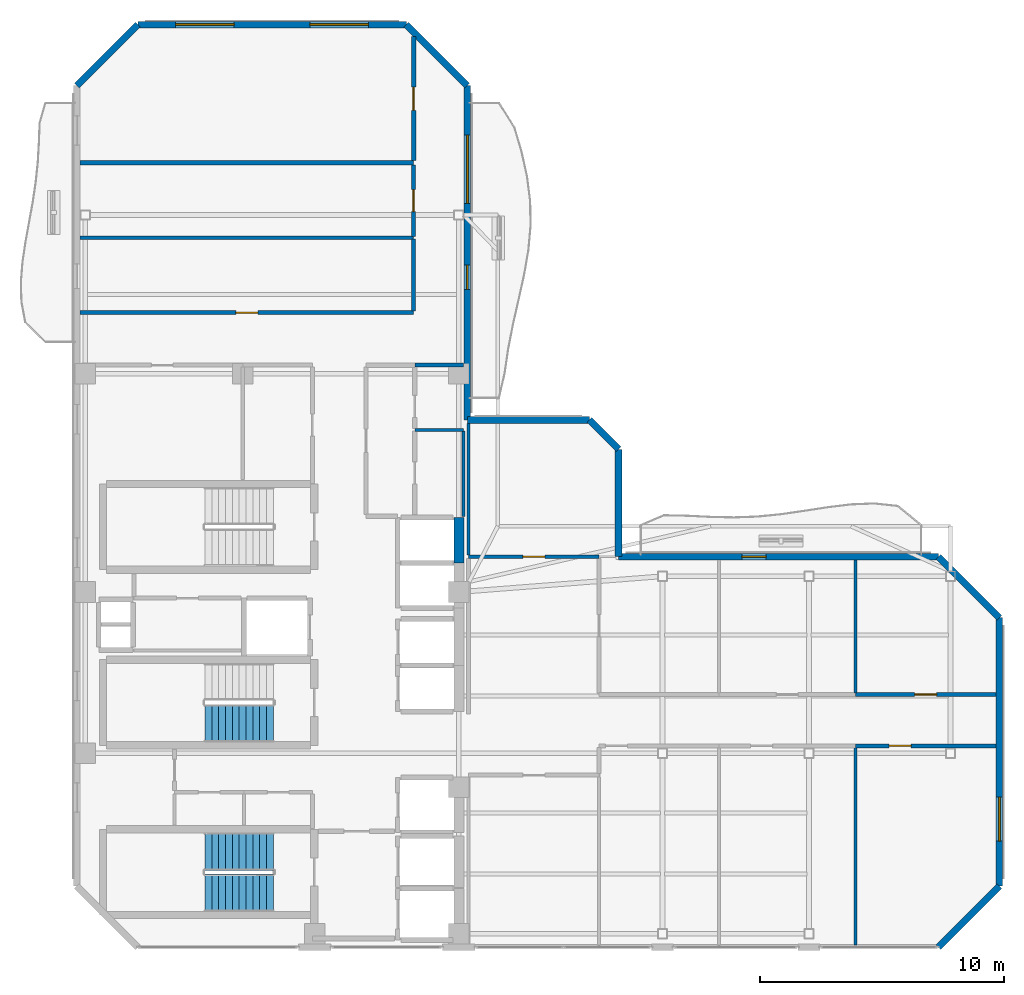
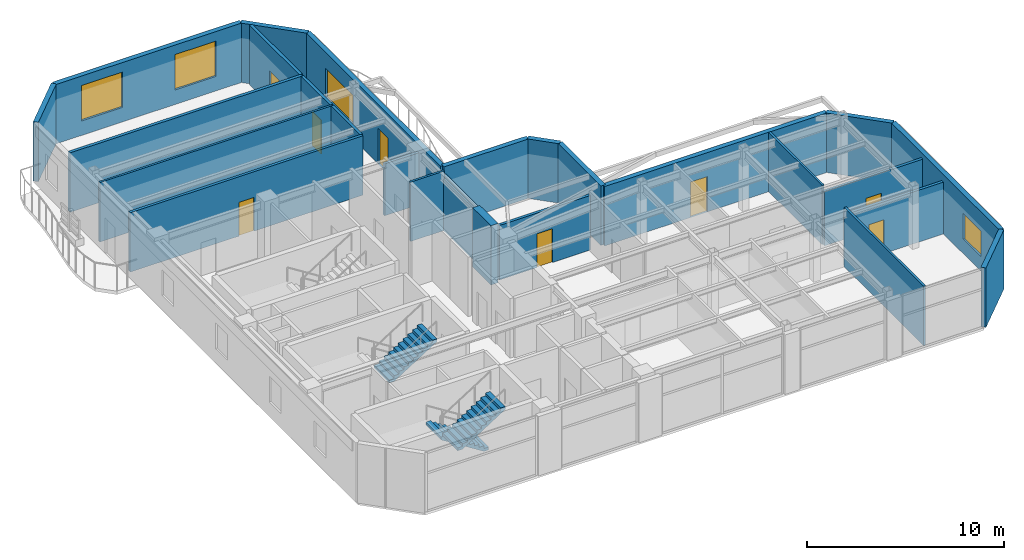
# One storey, part 11 of 15: 27 walls, 8 doors, 4 windows, 3 stair flights, 12 openings, 2 elements without a shape of their own.
"""IFC4 building model written with IfcOpenShell, lengths in metres."""

from ifc_helpers import new_model, si_unit, direction, frame, frame_2d, origin, place, context, subcontext, project, spatial, polyline, rectangle, outline, extrude, material, layer, layer_set, type_object, element, fill, aggregate, save


model = new_model("IFC4")

# Units and contexts
model_context = context("Model", 3, precision=1e-05, world=origin(), true_north=direction((0.0, 1.0)))
body_context = subcontext(model_context, "Body", "Model", "MODEL_VIEW")
ifc_project = project(units=[si_unit("LENGTHUNIT", "METRE"), si_unit("AREAUNIT", "SQUARE_METRE"), si_unit("VOLUMEUNIT", "CUBIC_METRE"), si_unit("PLANEANGLEUNIT", "RADIAN"), si_unit("MASSUNIT", "GRAM", prefix="KILO")], contexts=[model_context])

# Site, building, storey
site_placement = place(None, origin())
site = spatial("IfcSite", under=ifc_project, at=site_placement, CompositionType="ELEMENT")
building_placement = place(site_placement, origin())
building = spatial("IfcBuilding", under=site, at=building_placement, Name="Mawjaban Terraces University", CompositionType="ELEMENT")
storey_placement = place(building_placement, frame((0.0, 0.0, 295.0)))
storey = spatial("IfcBuildingStorey", under=building, at=storey_placement, Name="L72", CompositionType="ELEMENT", Elevation=295.0)

# Wall
ifc_material_1 = material(Name="Acoustic masonry blockwork", Category="masonry")
ifc_layer_1 = layer(ifc_material_1, 0.179931640625)
ifc_layer_set_1 = layer_set([ifc_layer_1], Name="Acoustic masonry blockwork")
wall_type_1 = type_object("IfcWallType", Name="AcousticStudioWall_180", PredefinedType="PARTITIONING", material=ifc_layer_set_1)
wall_1_placement = place(storey_placement, frame((35.800048828125, 32.139892578125, 0.0), z_axis=(0.0, 0.0, 1.0), x_axis=(-1.0, 0.0, 0.0)))
element("IfcWall", 1, at=wall_1_placement, inside=storey, type_object=wall_type_1, Name="L72 Quiet Reading Room 9 Partition 12", PredefinedType="PARTITIONING", context=body_context, shape_type="SweptSolid", body=[
    extrude(rectangle(XDim=13.6669921875, YDim=0.179931640625, at=frame_2d((6.83349609375, 0.0))), origin(), (0.0, 0.0, 1.0), 3.68994140625),
])

# Wall, opening, door
wall_2_placement = place(storey_placement, frame((35.800048828125, 37.31298828125, 0.0), z_axis=(0.0, 0.0, 1.0), x_axis=(0.0, -1.0, 0.0)))
wall_2 = element("IfcWall", 2, at=wall_2_placement, inside=storey, type_object=wall_type_1, Name="L72 Upper North Research Gallery Partition 34", PredefinedType="PARTITIONING", context=body_context, shape_type="SweptSolid", body=[
    extrude(rectangle(XDim=5.087890625, YDim=0.179931640625, at=frame_2d((2.5439453125, 0.0))), origin(), (0.0, 0.0, 1.0), 3.68994140625),
])
opening_1_placement = place(wall_2_placement, frame((2.069091796875, 0.0, 0.0)))
opening_1 = element("IfcOpeningElement", 3, at=opening_1_placement, cuts=wall_2, Name="Opening ID-095", PredefinedType="OPENING", context=body_context, shape_type="SweptSolid", body=[
    extrude(rectangle(XDim=0.949951171875, YDim=2.10009765625, at=frame_2d((0.47509765625, 1.050048828125))), frame((0.0, 0.099853515625, 0.0), z_axis=(0.0, -1.0, 0.0), x_axis=(1.0, 0.0, 0.0)), (0.0, 0.0, 1.0), 0.199951171875),
])
ifc_material_2 = material(Name="Powder-coated steel frame and solid acoustic timber leaf", Category="steel")
door_type_1 = type_object("IfcDoorType", Name="StudioDoor_950x2100", OperationType="NOTDEFINED", PredefinedType="DOOR", material=ifc_material_2)
door_1_placement = place(opening_1_placement, origin())
door_1 = element("IfcDoor", 4, at=door_1_placement, inside=storey, type_object=door_type_1, Name="L72 Media Workshop 10 Door", OperationType="SINGLE_SWING_RIGHT", OverallHeight=2.10009765625, OverallWidth=0.949951171875, PredefinedType="DOOR", context=body_context, shape_type="SweptSolid", body=[
    extrude(rectangle(XDim=0.949951171875, YDim=2.10009765625, at=frame_2d((0.47509765625, 1.050048828125))), frame((0.0, 0.02490234375, 0.0), z_axis=(0.0, -1.0, 0.0), x_axis=(1.0, 0.0, 0.0)), (0.0, 0.0, 1.0), 0.050048828125),
])
fill(opening_1, door_1)

# Wall
ifc_material_3 = material(Name="Concrete C50/60", Category="concrete")
ifc_layer_2 = layer(ifc_material_3, 0.419921875)
ifc_layer_set_2 = layer_set([ifc_layer_2], Name="Concrete C50/60")
wall_type_2 = type_object("IfcWallType", Name="CoreShearWall_420", PredefinedType="SHEAR", material=ifc_layer_set_2)
wall_3_placement = place(storey_placement, frame((37.659912109375, 15.75, 0.0), z_axis=(0.0, 0.0, 1.0), x_axis=(0.0, 1.0, 0.0)))
element("IfcWall", 5, at=wall_3_placement, inside=storey, type_object=wall_type_2, Name="L72 Lift OL-2 Hoistway Wall East", PredefinedType="SHEAR", context=body_context, shape_type="SweptSolid", body=[
    extrude(rectangle(XDim=1.85009765625, YDim=0.419921875, at=frame_2d((0.925048828125, 0.0))), origin(), (0.0, 0.0, 1.0), 3.68994140625),
])

# Wall, opening, door
ifc_material_4 = material(Name="Fire-rated gypsum board on steel stud", Category="steel")
ifc_layer_3 = layer(ifc_material_4, 0.159912109375)
ifc_layer_set_3 = layer_set([ifc_layer_3], Name="Fire-rated gypsum board on steel stud")
wall_type_3 = type_object("IfcWallType", Name="CorridorPartition_160", PredefinedType="PARTITIONING", material=ifc_layer_set_3)
wall_4_placement = place(storey_placement, frame((35.800048828125, 26.0, 0.0), z_axis=(0.0, 0.0, 1.0), x_axis=(-1.0, 0.0, 0.0)))
wall_4 = element("IfcWall", 6, at=wall_4_placement, inside=storey, type_object=wall_type_3, Name="L72 North Core Cross-Corridor Partition 10", PredefinedType="PARTITIONING", context=body_context, shape_type="SweptSolid", body=[
    extrude(rectangle(XDim=13.6669921875, YDim=0.159912109375, at=frame_2d((6.83349609375, 0.0))), origin(), (0.0, 0.0, 1.0), 3.68994140625),
])
opening_2_placement = place(wall_4_placement, frame((6.383056640625, 0.0, 0.0)))
opening_2 = element("IfcOpeningElement", 7, at=opening_2_placement, cuts=wall_4, Name="Opening ID-090", PredefinedType="OPENING", context=body_context, shape_type="SweptSolid", body=[
    extrude(rectangle(XDim=0.89990234375, YDim=2.10009765625, at=frame_2d((0.449951171875, 1.050048828125))), frame((0.0, 0.08984375, 0.0), z_axis=(0.0, -1.0, 0.0), x_axis=(1.0, 0.0, 0.0)), (0.0, 0.0, 1.0), 0.179931640625),
])
door_type_2 = type_object("IfcDoorType", Name="OfficeDoor_900x2100", OperationType="NOTDEFINED", PredefinedType="DOOR", material=ifc_material_2)
door_2_placement = place(opening_2_placement, origin())
door_2 = element("IfcDoor", 8, at=door_2_placement, inside=storey, type_object=door_type_2, Name="L72 Departmental Office 8 Door", OperationType="SINGLE_SWING_RIGHT", OverallHeight=2.10009765625, OverallWidth=0.89990234375, PredefinedType="DOOR", context=body_context, shape_type="SweptSolid", body=[
    extrude(rectangle(XDim=0.89990234375, YDim=2.10009765625, at=frame_2d((0.449951171875, 1.050048828125))), frame((0.0, 0.02490234375, 0.0), z_axis=(0.0, -1.0, 0.0), x_axis=(1.0, 0.0, 0.0)), (0.0, 0.0, 1.0), 0.050048828125),
])
fill(opening_2, door_2)

# Wall
wall_5_placement = place(storey_placement, frame((37.85009765625, 23.85009765625, 0.0), z_axis=(0.0, 0.0, 1.0), x_axis=(-1.0, 0.0, 0.0)))
element("IfcWall", 9, at=wall_5_placement, inside=storey, type_object=wall_type_3, Name="L72 Graduate Quiet Study Alcove Partition 15", PredefinedType="PARTITIONING", context=body_context, shape_type="SweptSolid", body=[
    extrude(rectangle(XDim=2.0, YDim=0.159912109375, at=frame_2d((1.0, 0.0))), origin(), (0.0, 0.0, 1.0), 3.220947265625),
])

# Wall, opening, door
wall_6_placement = place(storey_placement, frame((43.39990234375, 16.0, 0.0), z_axis=(0.0, 0.0, 1.0), x_axis=(-1.0, 0.0, 0.0)))
wall_6 = element("IfcWall", 10, at=wall_6_placement, inside=storey, type_object=wall_type_3, Name="L72 Upper Research Hub Concourse Partition 18", PredefinedType="PARTITIONING", context=body_context, shape_type="SweptSolid", body=[
    extrude(rectangle(XDim=5.349853515625, YDim=0.159912109375, at=frame_2d((2.6748046875, 0.0))), origin(), (0.0, 0.0, 1.0), 3.389892578125),
])
opening_3_placement = place(wall_6_placement, frame((2.22509765625, 0.0, 0.0)))
opening_3 = element("IfcOpeningElement", 11, at=opening_3_placement, cuts=wall_6, Name="Opening ID-090", PredefinedType="OPENING", context=body_context, shape_type="SweptSolid", body=[
    extrude(rectangle(XDim=0.89990234375, YDim=2.10009765625, at=frame_2d((0.449951171875, 1.050048828125))), frame((0.0, 0.08984375, 0.0), z_axis=(0.0, -1.0, 0.0), x_axis=(1.0, 0.0, 0.0)), (0.0, 0.0, 1.0), 0.179931640625),
])
door_3_placement = place(opening_3_placement, origin())
door_3 = element("IfcDoor", 12, at=door_3_placement, inside=storey, type_object=door_type_2, Name="L72 Terrace Collaborative Study Room Door", OperationType="SINGLE_SWING_LEFT", OverallHeight=2.10009765625, OverallWidth=0.89990234375, PredefinedType="DOOR", context=body_context, shape_type="SweptSolid", body=[
    extrude(rectangle(XDim=0.89990234375, YDim=2.10009765625, at=frame_2d((0.449951171875, 1.050048828125))), frame((0.0, 0.02490234375, 0.0), z_axis=(0.0, -1.0, 0.0), x_axis=(1.0, 0.0, 0.0)), (0.0, 0.0, 1.0), 0.050048828125),
])
fill(opening_3, door_3)

wall_7_placement = place(storey_placement, frame((53.89990234375, 8.25, 0.0), z_axis=(0.0, 0.0, 1.0), x_axis=(1.0, 0.0, 0.0)))
wall_7 = element("IfcWall", 13, at=wall_7_placement, inside=storey, type_object=wall_type_3, Name="L72 Upper East Research Corridor Partition 21", PredefinedType="PARTITIONING", context=body_context, shape_type="SweptSolid", body=[
    extrude(rectangle(XDim=5.76708984375, YDim=0.159912109375, at=frame_2d((2.883544921875, 0.0))), origin(), (0.0, 0.0, 1.0), 3.220947265625),
])
opening_4_placement = place(wall_7_placement, frame((1.384033203125, 0.0, 0.0)))
opening_4 = element("IfcOpeningElement", 14, at=opening_4_placement, cuts=wall_7, Name="Opening ID-090", PredefinedType="OPENING", context=body_context, shape_type="SweptSolid", body=[
    extrude(rectangle(XDim=0.89990234375, YDim=2.10009765625, at=frame_2d((0.449951171875, 1.050048828125))), frame((0.0, 0.08984375, 0.0), z_axis=(0.0, -1.0, 0.0), x_axis=(1.0, 0.0, 0.0)), (0.0, 0.0, 1.0), 0.179931640625),
])
door_4_placement = place(opening_4_placement, origin())
door_4 = element("IfcDoor", 15, at=door_4_placement, inside=storey, type_object=door_type_2, Name="L72 Departmental Office 6 Door", OperationType="SINGLE_SWING_RIGHT", OverallHeight=2.10009765625, OverallWidth=0.89990234375, PredefinedType="DOOR", context=body_context, shape_type="SweptSolid", body=[
    extrude(rectangle(XDim=0.89990234375, YDim=2.10009765625, at=frame_2d((0.449951171875, 1.050048828125))), frame((0.0, 0.02490234375, 0.0), z_axis=(0.0, -1.0, 0.0), x_axis=(1.0, 0.0, 0.0)), (0.0, 0.0, 1.0), 0.050048828125),
])
fill(opening_4, door_4)

wall_8_placement = place(storey_placement, frame((59.6669921875, 10.35009765625, 0.0), z_axis=(0.0, 0.0, 1.0), x_axis=(-1.0, 0.0, 0.0)))
wall_8 = element("IfcWall", 16, at=wall_8_placement, inside=storey, type_object=wall_type_3, Name="L72 Upper East Research Corridor Partition 23", PredefinedType="PARTITIONING", context=body_context, shape_type="SweptSolid", body=[
    extrude(rectangle(XDim=5.76708984375, YDim=0.159912109375, at=frame_2d((2.883544921875, 0.0))), origin(), (0.0, 0.0, 1.0), 3.3720703125),
])
opening_5_placement = place(wall_8_placement, frame((2.43408203125, 0.0, 0.0)))
opening_5 = element("IfcOpeningElement", 17, at=opening_5_placement, cuts=wall_8, Name="Opening ID-090", PredefinedType="OPENING", context=body_context, shape_type="SweptSolid", body=[
    extrude(rectangle(XDim=0.89990234375, YDim=2.10009765625, at=frame_2d((0.449951171875, 1.050048828125))), frame((0.0, 0.08984375, 0.0), z_axis=(0.0, -1.0, 0.0), x_axis=(1.0, 0.0, 0.0)), (0.0, 0.0, 1.0), 0.179931640625),
])
door_5_placement = place(opening_5_placement, origin())
door_5 = element("IfcDoor", 18, at=door_5_placement, inside=storey, type_object=door_type_2, Name="L72 Faculty Office 7 Door", OperationType="SINGLE_SWING_LEFT", OverallHeight=2.10009765625, OverallWidth=0.89990234375, PredefinedType="DOOR", context=body_context, shape_type="SweptSolid", body=[
    extrude(rectangle(XDim=0.89990234375, YDim=2.10009765625, at=frame_2d((0.449951171875, 1.050048828125))), frame((0.0, 0.02490234375, 0.0), z_axis=(0.0, -1.0, 0.0), x_axis=(1.0, 0.0, 0.0)), (0.0, 0.0, 1.0), 0.050048828125),
])
fill(opening_5, door_5)

# Wall
wall_9_placement = place(storey_placement, frame((35.800048828125, 29.011962890625, 0.0), z_axis=(0.0, 0.0, 1.0), x_axis=(0.0, -1.0, 0.0)))
element("IfcWall", 19, at=wall_9_placement, inside=storey, type_object=wall_type_3, Name="L72 Upper North Research Gallery Partition 32", PredefinedType="PARTITIONING", context=body_context, shape_type="SweptSolid", body=[
    extrude(rectangle(XDim=2.93701171875, YDim=0.159912109375, at=frame_2d((1.468505859375, 0.0))), origin(), (0.0, 0.0, 1.0), 3.68994140625),
])

# Wall, opening, door
wall_10_placement = place(storey_placement, frame((35.800048828125, 32.054931640625, 0.0), z_axis=(0.0, 0.0, 1.0), x_axis=(0.0, -1.0, 0.0)))
wall_10 = element("IfcWall", 20, at=wall_10_placement, inside=storey, type_object=wall_type_3, Name="L72 Upper North Research Gallery Partition 33", PredefinedType="PARTITIONING", context=body_context, shape_type="SweptSolid", body=[
    extrude(rectangle(XDim=2.927001953125, YDim=0.159912109375, at=frame_2d((1.46337890625, 0.0))), origin(), (0.0, 0.0, 1.0), 3.68994140625),
])
opening_6_placement = place(wall_10_placement, frame((1.012939453125, 0.0, 0.0)))
opening_6 = element("IfcOpeningElement", 21, at=opening_6_placement, cuts=wall_10, Name="Opening ID-090", PredefinedType="OPENING", context=body_context, shape_type="SweptSolid", body=[
    extrude(rectangle(XDim=0.89990234375, YDim=2.10009765625, at=frame_2d((0.449951171875, 1.050048828125))), frame((0.0, 0.08984375, 0.0), z_axis=(0.0, -1.0, 0.0), x_axis=(1.0, 0.0, 0.0)), (0.0, 0.0, 1.0), 0.179931640625),
])
door_6_placement = place(opening_6_placement, origin())
door_6 = element("IfcDoor", 22, at=door_6_placement, inside=storey, type_object=door_type_2, Name="L72 Quiet Reading Room 9 Door", OperationType="SINGLE_SWING_LEFT", OverallHeight=2.10009765625, OverallWidth=0.89990234375, PredefinedType="DOOR", context=body_context, shape_type="SweptSolid", body=[
    extrude(rectangle(XDim=0.89990234375, YDim=2.10009765625, at=frame_2d((0.449951171875, 1.050048828125))), frame((0.0, 0.02490234375, 0.0), z_axis=(0.0, -1.0, 0.0), x_axis=(1.0, 0.0, 0.0)), (0.0, 0.0, 1.0), 0.050048828125),
])
fill(opening_6, door_6)

# Wall
ifc_material_5 = material(Name="Insulated terracotta rainscreen on concrete backup C40/50", Category="masonry")
ifc_layer_4 = layer(ifc_material_5, 0.27490234375)
ifc_layer_set_4 = layer_set([ifc_layer_4], Name="Insulated terracotta rainscreen on concrete backup C40/50")
wall_type_4 = type_object("IfcWallType", Name="ExtTerracottaWall_275", PredefinedType="SOLIDWALL", material=ifc_layer_set_4)
wall_11_placement = place(storey_placement, frame((57.300048828125, 0.0, 0.0), z_axis=(0.0, 0.0, 1.0), x_axis=(0.707106781187, 0.707106781187, 0.0)))
element("IfcWall", 23, at=wall_11_placement, inside=storey, type_object=wall_type_4, Name="L72 Exterior Terracotta Wall 2", PredefinedType="SOLIDWALL", context=body_context, shape_type="SweptSolid", body=[
    extrude(rectangle(XDim=3.53564453125, YDim=0.27490234375, at=frame_2d((1.767822265625, 0.0))), origin(), (0.0, 0.0, 1.0), 3.68994140625),
])

# Wall, opening, window
wall_12_placement = place(storey_placement, frame((59.800048828125, 2.5, 0.0), z_axis=(0.0, 0.0, 1.0), x_axis=(0.0, 1.0, 0.0)))
wall_12 = element("IfcWall", 24, at=wall_12_placement, inside=storey, type_object=wall_type_4, Name="L72 Exterior Terracotta Wall 3", PredefinedType="SOLIDWALL", context=body_context, shape_type="SweptSolid", body=[
    extrude(rectangle(XDim=11.0, YDim=0.27490234375, at=frame_2d((5.5, 0.0))), origin(), (0.0, 0.0, 1.0), 3.68994140625),
])
opening_7_placement = place(wall_12_placement, frame((1.85009765625, 0.0, 0.89990234375)))
opening_7 = element("IfcOpeningElement", 25, at=opening_7_placement, cuts=wall_12, Name="Opening W-03", PredefinedType="OPENING", context=body_context, shape_type="SweptSolid", body=[
    extrude(rectangle(XDim=1.800048828125, YDim=1.60009765625, at=frame_2d((0.89990234375, 0.800048828125))), frame((0.0, 0.1474609375, 0.0), z_axis=(0.0, -1.0, 0.0), x_axis=(1.0, 0.0, 0.0)), (0.0, 0.0, 1.0), 0.294921875),
])
ifc_material_6 = material(Name="Low-E solar-control double glazing in thermally broken aluminium frame", Category="aluminium")
window_type_1 = type_object("IfcWindowType", Name="Win_1800x1600", PartitioningType="SINGLE_PANEL", PredefinedType="WINDOW", material=ifc_material_6)
window_1_placement = place(opening_7_placement, origin())
window_1 = element("IfcWindow", 26, at=window_1_placement, inside=storey, type_object=window_type_1, Name="L72 Facade Window 3.1", OverallHeight=1.60009765625, OverallWidth=1.800048828125, PartitioningType="SINGLE_PANEL", PredefinedType="WINDOW", context=body_context, shape_type="SweptSolid", body=[
    extrude(rectangle(XDim=1.800048828125, YDim=1.60009765625, at=frame_2d((0.89990234375, 0.800048828125))), frame((0.0, 0.030029296875, 0.0), z_axis=(0.0, -1.0, 0.0), x_axis=(1.0, 0.0, 0.0)), (0.0, 0.0, 1.0), 0.06005859375),
])
fill(opening_7, window_1)

# Wall
wall_13_placement = place(storey_placement, frame((59.800048828125, 13.5, 0.0), z_axis=(0.0, 0.0, 1.0), x_axis=(-0.707106781187, 0.707106781187, 0.0)))
element("IfcWall", 27, at=wall_13_placement, inside=storey, type_object=wall_type_4, Name="L72 Exterior Terracotta Wall 4", PredefinedType="SOLIDWALL", context=body_context, shape_type="SweptSolid", body=[
    extrude(rectangle(XDim=3.53564453125, YDim=0.27490234375, at=frame_2d((1.767822265625, 0.0))), origin(), (0.0, 0.0, 1.0), 3.68994140625),
])

# Wall, opening, door
wall_14_placement = place(storey_placement, frame((57.300048828125, 16.0, 0.0), z_axis=(0.0, 0.0, 1.0), x_axis=(-1.0, 0.0, 0.0)))
wall_14 = element("IfcWall", 28, at=wall_14_placement, inside=storey, type_object=wall_type_4, Name="L72 Exterior Terracotta Wall 5", PredefinedType="SOLIDWALL", context=body_context, shape_type="SweptSolid", body=[
    extrude(rectangle(XDim=13.10009765625, YDim=0.27490234375, at=frame_2d((6.550048828125, 0.0))), origin(), (0.0, 0.0, 1.0), 3.68994140625),
])
opening_8_placement = place(wall_14_placement, frame((7.050048828125, 0.0, 0.0)))
opening_8 = element("IfcOpeningElement", 29, at=opening_8_placement, cuts=wall_14, Name="Opening BD-100", PredefinedType="OPENING", context=body_context, shape_type="SweptSolid", body=[
    extrude(rectangle(XDim=1.0, YDim=2.199951171875, at=frame_2d((0.5, 1.10009765625))), frame((0.0, 0.1474609375, 0.0), z_axis=(0.0, -1.0, 0.0), x_axis=(1.0, 0.0, 0.0)), (0.0, 0.0, 1.0), 0.294921875),
])
ifc_material_7 = material(Name="Thermally broken anodised aluminium and laminated safety glass", Category="aluminium")
door_type_3 = type_object("IfcDoorType", Name="BalconyGlazedDoor_1000x2200", OperationType="NOTDEFINED", PredefinedType="DOOR", material=ifc_material_7)
door_7_placement = place(opening_8_placement, origin())
door_7 = element("IfcDoor", 30, at=door_7_placement, inside=storey, type_object=door_type_3, Name="L72 Balcony Access Door inner_north", OperationType="SINGLE_SWING_LEFT", OverallHeight=2.199951171875, OverallWidth=1.0, PredefinedType="DOOR", context=body_context, shape_type="SweptSolid", body=[
    extrude(rectangle(XDim=1.0, YDim=2.199951171875, at=frame_2d((0.5, 1.10009765625))), frame((0.0, 0.02490234375, 0.0), z_axis=(0.0, -1.0, 0.0), x_axis=(1.0, 0.0, 0.0)), (0.0, 0.0, 1.0), 0.050048828125),
])
fill(opening_8, door_7)

# Walls
wall_15_placement = place(storey_placement, frame((44.199951171875, 16.0, 0.0), z_axis=(0.0, 0.0, 1.0), x_axis=(0.0, 1.0, 0.0)))
element("IfcWall", 31, at=wall_15_placement, inside=storey, type_object=wall_type_4, Name="L72 Exterior Terracotta Wall 6", PredefinedType="SOLIDWALL", context=body_context, shape_type="SweptSolid", body=[
    extrude(rectangle(XDim=4.39990234375, YDim=0.27490234375, at=frame_2d((2.199951171875, 0.0))), origin(), (0.0, 0.0, 1.0), 3.68994140625),
])
wall_16_placement = place(storey_placement, frame((44.199951171875, 20.39990234375, 0.0), z_axis=(0.0, 0.0, 1.0), x_axis=(-0.707034851297, 0.707178703759, 0.0)))
element("IfcWall", 32, at=wall_16_placement, inside=storey, type_object=wall_type_4, Name="L72 Exterior Terracotta Wall 7", PredefinedType="SOLIDWALL", context=body_context, shape_type="SweptSolid", body=[
    extrude(rectangle(XDim=1.697265625, YDim=0.27490234375, at=frame_2d((0.8486328125, 0.0))), origin(), (0.0, 0.0, 1.0), 3.68994140625),
])
wall_17_placement = place(storey_placement, frame((43.0, 21.60009765625, 0.0), z_axis=(0.0, 0.0, 1.0), x_axis=(-1.0, 0.0, 0.0)))
element("IfcWall", 33, at=wall_17_placement, inside=storey, type_object=wall_type_4, Name="L72 Exterior Terracotta Wall 8", PredefinedType="SOLIDWALL", context=body_context, shape_type="SweptSolid", body=[
    extrude(rectangle(XDim=5.0, YDim=0.27490234375, at=frame_2d((2.5, 0.0))), origin(), (0.0, 0.0, 1.0), 3.68994140625),
])

# Wall, openings, door, window
wall_18_placement = place(storey_placement, frame((38.0, 21.60009765625, 0.0), z_axis=(0.0, 0.0, 1.0), x_axis=(0.0, 1.0, 0.0)))
wall_18 = element("IfcWall", 34, at=wall_18_placement, inside=storey, type_object=wall_type_4, Name="L72 Exterior Terracotta Wall 9", PredefinedType="SOLIDWALL", context=body_context, shape_type="SweptSolid", body=[
    extrude(rectangle(XDim=13.699951171875, YDim=0.27490234375, at=frame_2d((6.85009765625, 0.0))), origin(), (0.0, 0.0, 1.0), 3.68994140625),
])
opening_9_placement = place(wall_18_placement, frame((5.35009765625, 0.0, 0.0)))
opening_9 = element("IfcOpeningElement", 35, at=opening_9_placement, cuts=wall_18, Name="Opening BD-100", PredefinedType="OPENING", context=body_context, shape_type="SweptSolid", body=[
    extrude(rectangle(XDim=1.0, YDim=2.199951171875, at=frame_2d((0.5, 1.10009765625))), frame((0.0, 0.1474609375, 0.0), z_axis=(0.0, -1.0, 0.0), x_axis=(1.0, 0.0, 0.0)), (0.0, 0.0, 1.0), 0.294921875),
])
opening_10_placement = place(wall_18_placement, frame((8.875, 0.0, 0.89990234375)))
opening_10 = element("IfcOpeningElement", 36, at=opening_10_placement, cuts=wall_18, Name="Opening W-09", PredefinedType="OPENING", context=body_context, shape_type="SweptSolid", body=[
    extrude(rectangle(XDim=2.800048828125, YDim=1.800048828125, at=frame_2d((1.39990234375, 0.89990234375))), frame((0.0, 0.1474609375, 0.0), z_axis=(0.0, -1.0, 0.0), x_axis=(1.0, 0.0, 0.0)), (0.0, 0.0, 1.0), 0.294921875),
])
door_8_placement = place(opening_9_placement, origin())
door_8 = element("IfcDoor", 37, at=door_8_placement, inside=storey, type_object=door_type_3, Name="L72 Balcony Access Door inner_east", OperationType="SINGLE_SWING_LEFT", OverallHeight=2.199951171875, OverallWidth=1.0, PredefinedType="DOOR", context=body_context, shape_type="SweptSolid", body=[
    extrude(rectangle(XDim=1.0, YDim=2.199951171875, at=frame_2d((0.5, 1.10009765625))), frame((0.0, 0.02490234375, 0.0), z_axis=(0.0, -1.0, 0.0), x_axis=(1.0, 0.0, 0.0)), (0.0, 0.0, 1.0), 0.050048828125),
])
fill(opening_9, door_8)
window_type_2 = type_object("IfcWindowType", Name="Win_2800x1800", PartitioningType="SINGLE_PANEL", PredefinedType="WINDOW", material=ifc_material_6)
window_2_placement = place(opening_10_placement, origin())
window_2 = element("IfcWindow", 38, at=window_2_placement, inside=storey, type_object=window_type_2, Name="L72 Facade Window 9.2", OverallHeight=1.800048828125, OverallWidth=2.800048828125, PartitioningType="SINGLE_PANEL", PredefinedType="WINDOW", context=body_context, shape_type="SweptSolid", body=[
    extrude(rectangle(XDim=2.800048828125, YDim=1.800048828125, at=frame_2d((1.39990234375, 0.89990234375))), frame((0.0, 0.030029296875, 0.0), z_axis=(0.0, -1.0, 0.0), x_axis=(1.0, 0.0, 0.0)), (0.0, 0.0, 1.0), 0.06005859375),
])
fill(opening_10, window_2)

# Wall
wall_19_placement = place(storey_placement, frame((38.0, 35.300048828125, 0.0), z_axis=(0.0, 0.0, 1.0), x_axis=(-0.707106781187, 0.707106781187, 0.0)))
element("IfcWall", 39, at=wall_19_placement, inside=storey, type_object=wall_type_4, Name="L72 Exterior Terracotta Wall 10", PredefinedType="SOLIDWALL", context=body_context, shape_type="SweptSolid", body=[
    extrude(rectangle(XDim=3.53564453125, YDim=0.27490234375, at=frame_2d((1.767822265625, 0.0))), origin(), (0.0, 0.0, 1.0), 3.68994140625),
])

# Wall, openings, windows
wall_20_placement = place(storey_placement, frame((35.5, 37.800048828125, 0.0), z_axis=(0.0, 0.0, 1.0), x_axis=(-1.0, 0.0, 0.0)))
wall_20 = element("IfcWall", 40, at=wall_20_placement, inside=storey, type_object=wall_type_4, Name="L72 Exterior Terracotta Wall 11", PredefinedType="SOLIDWALL", context=body_context, shape_type="SweptSolid", body=[
    extrude(rectangle(XDim=11.0, YDim=0.27490234375, at=frame_2d((5.5, 0.0))), origin(), (0.0, 0.0, 1.0), 3.68994140625),
])
opening_11_placement = place(wall_20_placement, frame((1.550048828125, 0.0, 0.89990234375)))
opening_11 = element("IfcOpeningElement", 41, at=opening_11_placement, cuts=wall_20, Name="Opening W-11", PredefinedType="OPENING", context=body_context, shape_type="SweptSolid", body=[
    extrude(rectangle(XDim=2.39990234375, YDim=2.199951171875, at=frame_2d((1.199951171875, 1.10009765625))), frame((0.0, 0.1474609375, 0.0), z_axis=(0.0, -1.0, 0.0), x_axis=(1.0, 0.0, 0.0)), (0.0, 0.0, 1.0), 0.294921875),
])
opening_12_placement = place(wall_20_placement, frame((7.050048828125, 0.0, 0.89990234375)))
opening_12 = element("IfcOpeningElement", 42, at=opening_12_placement, cuts=wall_20, Name="Opening W-11", PredefinedType="OPENING", context=body_context, shape_type="SweptSolid", body=[
    extrude(rectangle(XDim=2.39990234375, YDim=2.199951171875, at=frame_2d((1.199951171875, 1.10009765625))), frame((0.0, 0.1474609375, 0.0), z_axis=(0.0, -1.0, 0.0), x_axis=(1.0, 0.0, 0.0)), (0.0, 0.0, 1.0), 0.294921875),
])
window_type_3 = type_object("IfcWindowType", Name="Win_2400x2200", PartitioningType="SINGLE_PANEL", PredefinedType="WINDOW", material=ifc_material_6)
window_3_placement = place(opening_11_placement, origin())
window_3 = element("IfcWindow", 43, at=window_3_placement, inside=storey, type_object=window_type_3, Name="L72 Facade Window 11.1", OverallHeight=2.199951171875, OverallWidth=2.39990234375, PartitioningType="SINGLE_PANEL", PredefinedType="WINDOW", context=body_context, shape_type="SweptSolid", body=[
    extrude(rectangle(XDim=2.39990234375, YDim=2.199951171875, at=frame_2d((1.199951171875, 1.10009765625))), frame((0.0, 0.030029296875, 0.0), z_axis=(0.0, -1.0, 0.0), x_axis=(1.0, 0.0, 0.0)), (0.0, 0.0, 1.0), 0.06005859375),
])
fill(opening_11, window_3)
window_4_placement = place(opening_12_placement, origin())
window_4 = element("IfcWindow", 44, at=window_4_placement, inside=storey, type_object=window_type_3, Name="L72 Facade Window 11.2", OverallHeight=2.199951171875, OverallWidth=2.39990234375, PartitioningType="SINGLE_PANEL", PredefinedType="WINDOW", context=body_context, shape_type="SweptSolid", body=[
    extrude(rectangle(XDim=2.39990234375, YDim=2.199951171875, at=frame_2d((1.199951171875, 1.10009765625))), frame((0.0, 0.030029296875, 0.0), z_axis=(0.0, -1.0, 0.0), x_axis=(1.0, 0.0, 0.0)), (0.0, 0.0, 1.0), 0.06005859375),
])
fill(opening_12, window_4)

# Walls
wall_21_placement = place(storey_placement, frame((24.5, 37.800048828125, 0.0), z_axis=(0.0, 0.0, 1.0), x_axis=(-0.707106781187, -0.707106781187, 0.0)))
element("IfcWall", 45, at=wall_21_placement, inside=storey, type_object=wall_type_4, Name="L72 Exterior Terracotta Wall 12", PredefinedType="SOLIDWALL", context=body_context, shape_type="SweptSolid", body=[
    extrude(rectangle(XDim=3.53564453125, YDim=0.27490234375, at=frame_2d((1.767822265625, 0.0))), origin(), (0.0, 0.0, 1.0), 3.68994140625),
])
ifc_material_8 = material(Name="Gypsum plasterboard on steel stud", Category="steel")
ifc_layer_5 = layer(ifc_material_8, 0.125)
ifc_layer_set_5 = layer_set([ifc_layer_5], Name="Gypsum plasterboard on steel stud")
wall_type_5 = type_object("IfcWallType", Name="OfficePartition_125", PredefinedType="PARTITIONING", material=ifc_layer_set_5)
wall_22_placement = place(storey_placement, frame((35.800048828125, 29.070068359375, 0.0), z_axis=(0.0, 0.0, 1.0), x_axis=(-1.0, 0.0, 0.0)))
element("IfcWall", 46, at=wall_22_placement, inside=storey, type_object=wall_type_5, Name="L72 Departmental Office 8 Partition 11", PredefinedType="PARTITIONING", context=body_context, shape_type="SweptSolid", body=[
    extrude(rectangle(XDim=13.6669921875, YDim=0.125, at=frame_2d((6.83349609375, 0.0))), origin(), (0.0, 0.0, 1.0), 3.68994140625),
])
wall_23_placement = place(storey_placement, frame((35.85009765625, 21.199951171875, 0.0), z_axis=(0.0, 0.0, 1.0), x_axis=(1.0, 0.0, 0.0)))
element("IfcWall", 47, at=wall_23_placement, inside=storey, type_object=wall_type_5, Name="L72 Graduate Quiet Study Alcove Partition 13", PredefinedType="PARTITIONING", context=body_context, shape_type="SweptSolid", body=[
    extrude(rectangle(XDim=2.0, YDim=0.125, at=frame_2d((1.0, 0.0))), origin(), (0.0, 0.0, 1.0), 3.68994140625),
])
wall_24_placement = place(storey_placement, frame((37.85009765625, 17.64990234375, 0.0), z_axis=(0.0, 0.0, 1.0), x_axis=(0.0, 1.0, 0.0)))
element("IfcWall", 48, at=wall_24_placement, inside=storey, type_object=wall_type_5, Name="L72 Research Instrument Store Partition 37", PredefinedType="PARTITIONING", context=body_context, shape_type="SweptSolid", body=[
    extrude(rectangle(XDim=3.4921875, YDim=0.125, at=frame_2d((1.74609375, 0.0))), origin(), (0.0, 0.0, 1.0), 3.220947265625),
])
wall_25_placement = place(storey_placement, frame((38.050048828125, 21.468017578125, 0.0), z_axis=(0.0, 0.0, 1.0), x_axis=(0.0, -1.0, 0.0)))
element("IfcWall", 49, at=wall_25_placement, inside=storey, type_object=wall_type_5, Name="L72 Terrace Collaborative Study Room Partition 40", PredefinedType="PARTITIONING", context=body_context, shape_type="SweptSolid", body=[
    extrude(rectangle(XDim=5.39306640625, YDim=0.125, at=frame_2d((2.696533203125, 0.0))), origin(), (0.0, 0.0, 1.0), 3.220947265625),
])
wall_26_placement = place(storey_placement, frame((53.89990234375, 0.090087890625, 0.0), z_axis=(0.0, 0.0, 1.0), x_axis=(0.0, 1.0, 0.0)))
element("IfcWall", 50, at=wall_26_placement, inside=storey, type_object=wall_type_5, Name="L72 Academic Counseling Room 4 Partition 46", PredefinedType="PARTITIONING", context=body_context, shape_type="SweptSolid", body=[
    extrude(rectangle(XDim=8.0849609375, YDim=0.125, at=frame_2d((4.04248046875, 0.0))), origin(), (0.0, 0.0, 1.0), 3.68994140625),
])
wall_27_placement = place(storey_placement, frame((53.89990234375, 10.425048828125, 0.0), z_axis=(0.0, 0.0, 1.0), x_axis=(0.0, 1.0, 0.0)))
element("IfcWall", 51, at=wall_27_placement, inside=storey, type_object=wall_type_5, Name="L72 Faculty Office 5 Partition 47", PredefinedType="PARTITIONING", context=body_context, shape_type="SweptSolid", body=[
    extrude(rectangle(XDim=5.44189453125, YDim=0.125, at=frame_2d((2.720947265625, 0.0))), origin(), (0.0, 0.0, 1.0), 3.68994140625),
])

# Stair, stair flights
ifc_material_9 = material(Name="Concrete C40/50", Category="concrete")
stair_type = type_object("IfcStairType", Name="Stair_Core1550_H39", PredefinedType="HALF_TURN_STAIR", material=ifc_material_9)
stair_1_placement = place(storey_placement, origin())
stair_1 = element("IfcStair", 52, at=stair_1_placement, inside=storey, type_object=stair_type, Name="L72 Core Exit Stair 1", PredefinedType="HALF_TURN_STAIR")
stair_flight_type = type_object("IfcStairFlightType", Name="Flight_Core1550_H39", PredefinedType="STRAIGHT", material=ifc_material_9)
stair_flight_1_placement = place(storey_placement, frame((30.050048828125, 3.925048828125, 0.0), z_axis=(0.0, 0.0, 1.0), x_axis=(-1.0, 0.0, 0.0)))
stair_flight_1 = element("IfcStairFlight", 53, at=stair_flight_1_placement, type_object=stair_flight_type, Name="ST-1 flight 1", NumberOfRisers=11, NumberOfTreads=10, PredefinedType="STRAIGHT", RiserHeight=0.177272727, TreadLength=0.28, context=body_context, shape_type="SweptSolid", body=[
    extrude(outline(polyline([(0.0, 0.0), (0.0, 0.17724609375), (0.280029296875, 0.17724609375), (0.280029296875, 0.3544921875), (0.56005859375, 0.3544921875), (0.56005859375, 0.53173828125), (0.840087890625, 0.53173828125), (0.840087890625, 0.708984375), (1.1201171875, 0.708984375), (1.1201171875, 0.886474609375), (1.39990234375, 0.886474609375), (1.39990234375, 1.063720703125), (1.679931640625, 1.063720703125), (1.679931640625, 1.240966796875), (1.9599609375, 1.240966796875), (1.9599609375, 1.418212890625), (2.239990234375, 1.418212890625), (2.239990234375, 1.595458984375), (2.52001953125, 1.595458984375), (2.52001953125, 1.772705078125), (2.800048828125, 1.772705078125), (2.800048828125, 1.949951171875), (2.800048828125, 1.59521484375), (0.2802734375, 0.0), (0.0, 0.0)])), frame((0.0, 0.77490234375, 0.0), z_axis=(0.0, -1.0, 0.0), x_axis=(1.0, 0.0, 0.0)), (0.0, 0.0, 1.0), 1.550048828125),
])
stair_flight_2_placement = place(storey_placement, frame((27.25, 2.22509765625, 1.949951171875), z_axis=(0.0, 0.0, 1.0), x_axis=(1.0, 0.0, 0.0)))
stair_flight_2 = element("IfcStairFlight", 54, at=stair_flight_2_placement, type_object=stair_flight_type, Name="ST-1 flight 2", NumberOfRisers=11, NumberOfTreads=10, PredefinedType="STRAIGHT", RiserHeight=0.177272727, TreadLength=0.28, context=body_context, shape_type="SweptSolid", body=[
    extrude(outline(polyline([(0.0, 0.0), (0.0, 0.17724609375), (0.280029296875, 0.17724609375), (0.280029296875, 0.3544921875), (0.56005859375, 0.3544921875), (0.56005859375, 0.53173828125), (0.840087890625, 0.53173828125), (0.840087890625, 0.708984375), (1.1201171875, 0.708984375), (1.1201171875, 0.886474609375), (1.39990234375, 0.886474609375), (1.39990234375, 1.063720703125), (1.679931640625, 1.063720703125), (1.679931640625, 1.240966796875), (1.9599609375, 1.240966796875), (1.9599609375, 1.418212890625), (2.239990234375, 1.418212890625), (2.239990234375, 1.595458984375), (2.52001953125, 1.595458984375), (2.52001953125, 1.772705078125), (2.800048828125, 1.772705078125), (2.800048828125, 1.949951171875), (2.800048828125, 1.59521484375), (0.2802734375, 0.0), (0.0, 0.0)])), frame((0.0, 0.77490234375, 0.0), z_axis=(0.0, -1.0, 0.0), x_axis=(1.0, 0.0, 0.0)), (0.0, 0.0, 1.0), 1.550048828125),
])
aggregate(stair_1, [stair_flight_1, stair_flight_2])

# Stair, stair flight
stair_2_placement = place(storey_placement, origin())
stair_2 = element("IfcStair", 55, at=stair_2_placement, inside=storey, type_object=stair_type, Name="L72 Core Exit Stair 3", PredefinedType="HALF_TURN_STAIR")
stair_flight_3_placement = place(storey_placement, frame((27.25, 9.175048828125, 1.949951171875), z_axis=(0.0, 0.0, 1.0), x_axis=(1.0, 0.0, 0.0)))
stair_flight_3 = element("IfcStairFlight", 56, at=stair_flight_3_placement, type_object=stair_flight_type, Name="ST-3 flight 2", NumberOfRisers=11, NumberOfTreads=10, PredefinedType="STRAIGHT", RiserHeight=0.177272727, TreadLength=0.28, context=body_context, shape_type="SweptSolid", body=[
    extrude(outline(polyline([(0.0, 0.0), (0.0, 0.17724609375), (0.280029296875, 0.17724609375), (0.280029296875, 0.3544921875), (0.56005859375, 0.3544921875), (0.56005859375, 0.53173828125), (0.840087890625, 0.53173828125), (0.840087890625, 0.708984375), (1.1201171875, 0.708984375), (1.1201171875, 0.886474609375), (1.39990234375, 0.886474609375), (1.39990234375, 1.063720703125), (1.679931640625, 1.063720703125), (1.679931640625, 1.240966796875), (1.9599609375, 1.240966796875), (1.9599609375, 1.418212890625), (2.239990234375, 1.418212890625), (2.239990234375, 1.595458984375), (2.52001953125, 1.595458984375), (2.52001953125, 1.772705078125), (2.800048828125, 1.772705078125), (2.800048828125, 1.949951171875), (2.800048828125, 1.59521484375), (0.2802734375, 0.0), (0.0, 0.0)])), frame((0.0, 0.77490234375, 0.0), z_axis=(0.0, -1.0, 0.0), x_axis=(1.0, 0.0, 0.0)), (0.0, 0.0, 1.0), 1.550048828125),
])
aggregate(stair_2, [stair_flight_3])

save(model, "model.ifc")
